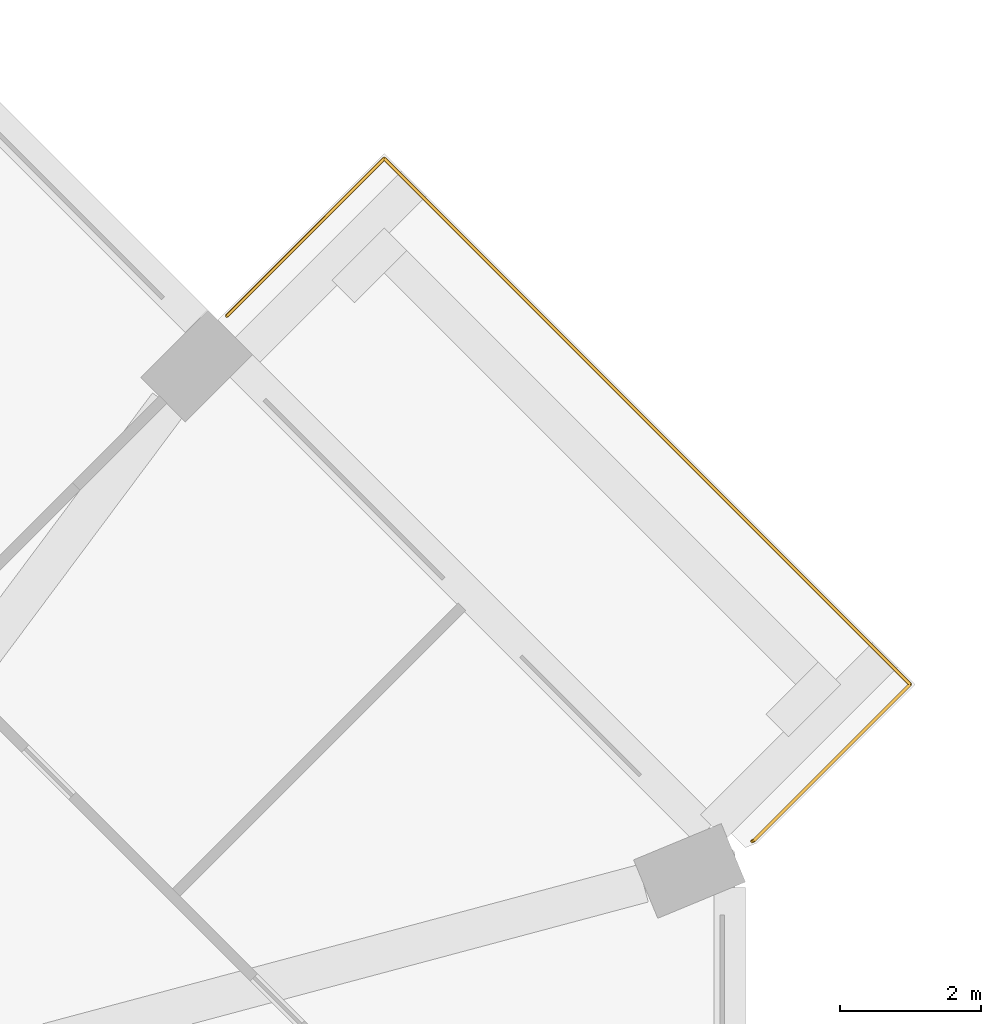
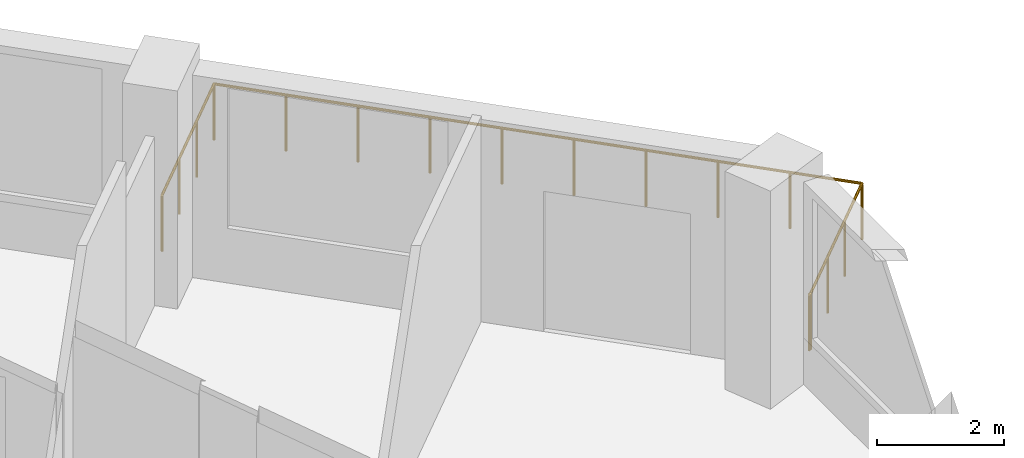
# One storey, part 13 of 13: 1 railing.
"""IFC4 building model written with IfcOpenShell, lengths in metres."""

from ifc_helpers import new_model, si_unit, direction, frame, origin, origin_2d, place, context, subcontext, project, spatial, circle, extrude, material, constituent, constituent_set, type_object, element, save


model = new_model("IFC4")

# Units and contexts
model_context = context("Model", 3, precision=1e-05, world=origin(), true_north=direction((0.0, 1.0)))
body_context = subcontext(model_context, "Body", "Model", "MODEL_VIEW")
ifc_project = project(units=[si_unit("LENGTHUNIT", "METRE"), si_unit("AREAUNIT", "SQUARE_METRE"), si_unit("VOLUMEUNIT", "CUBIC_METRE"), si_unit("PLANEANGLEUNIT", "RADIAN"), si_unit("MASSUNIT", "GRAM", prefix="KILO")], contexts=[model_context])

# Site, building, storey
site_placement = place(None, origin())
site = spatial("IfcSite", under=ifc_project, at=site_placement, CompositionType="ELEMENT")
building_placement = place(site_placement, origin())
building = spatial("IfcBuilding", under=site, at=building_placement, Name="Msitu Wima Residences", CompositionType="ELEMENT")
storey_placement = place(building_placement, frame((0.0, 0.0, 88.5)))
storey = spatial("IfcBuildingStorey", under=building, at=storey_placement, Name="L20", CompositionType="ELEMENT", Elevation=88.5)

# Railing
ifc_material_1 = material(Name="Steel S355", Category="steel")
ifc_constituent_1 = constituent(ifc_material_1, Name="Steel S355")
ifc_material_2 = material(Name="Weathering patina")
ifc_constituent_2 = constituent(ifc_material_2, Name="Weathering patina")
ifc_constituent_set = constituent_set(constituents=[ifc_constituent_1, ifc_constituent_2], Name="Steel S355")
railing_type = type_object("IfcRailingType", Name="Balcony guard GR1100", PredefinedType="GUARDRAIL", material=ifc_constituent_set)
railing_placement = place(storey_placement, frame((21.86865234375, 22.151611328125, 0.0)))
element("IfcRailing", 1, at=railing_placement, inside=storey, type_object=railing_type, Name="Balcony guard NE0 L20", PredefinedType="GUARDRAIL", context=body_context, shape_type="SweptSolid", body=[
    extrude(circle(Radius=0.02392578125, at=origin_2d()), frame((0.0, 0.0, 1.076171875), z_axis=(0.707145287287, 0.707068272989, 0.0), x_axis=(-0.707068272989, 0.707145287287, 0.0)), (0.0, 0.0, 1.0), 3.170166015625),
    extrude(circle(Radius=0.02392578125, at=origin_2d()), frame((2.24169921875, 2.241455078125, 1.076171875), z_axis=(0.70709524572, -0.707118316465, 0.0), x_axis=(0.707118316465, 0.70709524572, 0.0)), (0.0, 0.0, 1.0), 10.582275390625),
    extrude(circle(Radius=0.02392578125, at=origin_2d()), frame((9.724365234375, -5.241455078125, 1.076171875), z_axis=(-0.707106781187, -0.707106781187, 0.0), x_axis=(0.707106781187, -0.707106781187, 0.0)), (0.0, 0.0, 1.0), 3.136474609375),
    extrude(circle(Radius=0.02392578125, at=origin_2d()), frame((7.506591796875, -7.459228515625, 1.076171875), z_axis=(-0.923276184907, -0.384136806859, 0.0), x_axis=(0.384136806859, -0.923276184907, 0.0)), (0.0, 0.0, 1.0), 0.0361328125),
    extrude(circle(Radius=0.02099609375, at=origin_2d()), origin(), (0.0, 0.0, 1.0), 1.052001953125),
    extrude(circle(Radius=0.02099609375, at=origin_2d()), frame((0.747314453125, 0.7470703125, 0.0)), (0.0, 0.0, 1.0), 1.052001953125),
    extrude(circle(Radius=0.02099609375, at=origin_2d()), frame((1.494384765625, 1.494384765625, 0.0)), (0.0, 0.0, 1.0), 1.052001953125),
    extrude(circle(Radius=0.02099609375, at=origin_2d()), frame((2.24169921875, 2.241455078125, 0.0)), (0.0, 0.0, 1.0), 1.052001953125),
    extrude(circle(Radius=0.02099609375, at=origin_2d()), frame((3.072998046875, 1.409912109375, 0.0)), (0.0, 0.0, 1.0), 1.052001953125),
    extrude(circle(Radius=0.02099609375, at=origin_2d()), frame((3.904541015625, 0.57861328125, 0.0)), (0.0, 0.0, 1.0), 1.052001953125),
    extrude(circle(Radius=0.02099609375, at=origin_2d()), frame((4.73583984375, -0.2529296875, 0.0)), (0.0, 0.0, 1.0), 1.052001953125),
    extrude(circle(Radius=0.02099609375, at=origin_2d()), frame((5.5673828125, -1.084228515625, 0.0)), (0.0, 0.0, 1.0), 1.052001953125),
    extrude(circle(Radius=0.02099609375, at=origin_2d()), frame((6.398681640625, -1.915771484375, 0.0)), (0.0, 0.0, 1.0), 1.052001953125),
    extrude(circle(Radius=0.02099609375, at=origin_2d()), frame((7.230224609375, -2.7470703125, 0.0)), (0.0, 0.0, 1.0), 1.052001953125),
    extrude(circle(Radius=0.02099609375, at=origin_2d()), frame((8.0615234375, -3.57861328125, 0.0)), (0.0, 0.0, 1.0), 1.052001953125),
    extrude(circle(Radius=0.02099609375, at=origin_2d()), frame((8.89306640625, -4.409912109375, 0.0)), (0.0, 0.0, 1.0), 1.052001953125),
    extrude(circle(Radius=0.02099609375, at=origin_2d()), frame((9.724365234375, -5.241455078125, 0.0)), (0.0, 0.0, 1.0), 1.052001953125),
    extrude(circle(Radius=0.02099609375, at=origin_2d()), frame((8.985107421875, -5.980712890625, 0.0)), (0.0, 0.0, 1.0), 1.052001953125),
    extrude(circle(Radius=0.02099609375, at=origin_2d()), frame((8.245849609375, -6.719970703125, 0.0)), (0.0, 0.0, 1.0), 1.052001953125),
    extrude(circle(Radius=0.02099609375, at=origin_2d()), frame((7.506591796875, -7.459228515625, 0.0)), (0.0, 0.0, 1.0), 1.052001953125),
    extrude(circle(Radius=0.02099609375, at=origin_2d()), frame((7.47314453125, -7.47314453125, 0.0)), (0.0, 0.0, 1.0), 1.052001953125),
])

save(model, "model.ifc")
